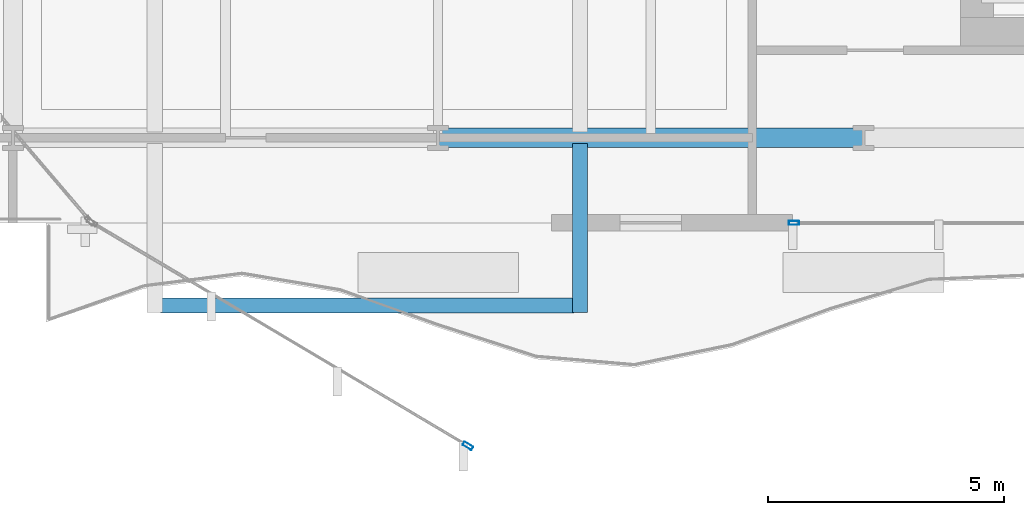
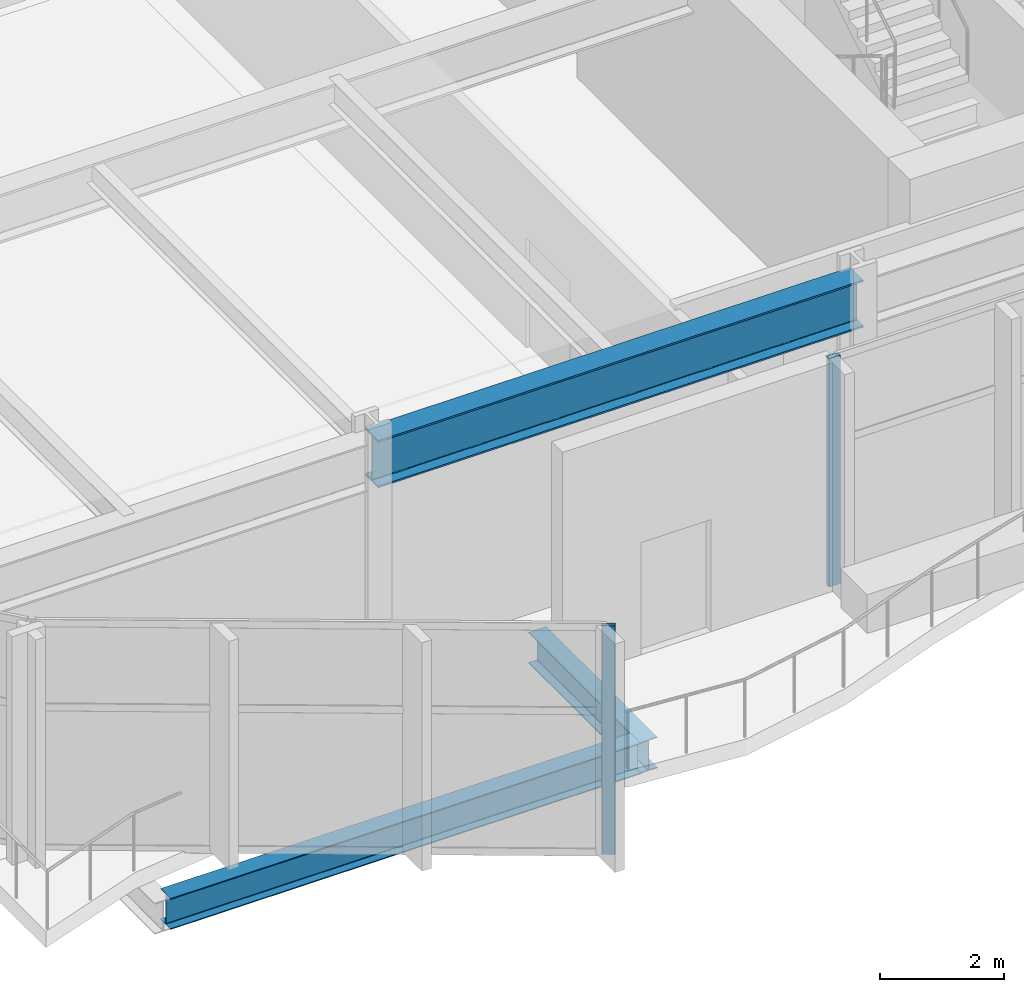
# One storey, part 3 of 29: 3 beams, 2 members, 2 elements without a shape of their own.
"""IFC4 building model written with IfcOpenShell, lengths in metres."""

from ifc_helpers import new_model, si_unit, direction, frame, origin, origin_2d, place, context, subcontext, project, spatial, hollow_rectangle, i_section, extrude, material, layer, layer_set, material_profile, profile_set, type_object, element, aggregate, save


model = new_model("IFC4")

# Units and contexts
model_context = context("Model", 3, precision=1e-05, world=origin(), true_north=direction((0.0, 1.0)))
body_context = subcontext(model_context, "Body", "Model", "MODEL_VIEW")
ifc_project = project(units=[si_unit("LENGTHUNIT", "METRE"), si_unit("AREAUNIT", "SQUARE_METRE"), si_unit("VOLUMEUNIT", "CUBIC_METRE"), si_unit("PLANEANGLEUNIT", "RADIAN"), si_unit("MASSUNIT", "GRAM", prefix="KILO")], contexts=[model_context])

# Site, building, storey
site_placement = place(None, origin())
site = spatial("IfcSite", under=ifc_project, at=site_placement, CompositionType="ELEMENT")
building_placement = place(site_placement, origin())
building = spatial("IfcBuilding", under=site, at=building_placement, Name="Solvaryn Broadcast Tower", CompositionType="ELEMENT")
storey_placement = place(building_placement, frame((0.0, 0.0, 21.199951171875)))
storey = spatial("IfcBuildingStorey", under=building, at=storey_placement, Name="L04", CompositionType="ELEMENT", Elevation=21.199951171875)

# Beams
ifc_material_1 = material(Name="Steel ASTM A992 Grade 50", Category="steel")
ifc_material_profile_1 = material_profile(ifc_material_1, i_section(OverallWidth=0.323974609375, OverallDepth=0.611083984375, WebThickness=0.0126953125, FlangeThickness=0.01904296875, FilletRadius=0.014892578125, at=origin_2d()))
ifc_profile_set_1 = profile_set([ifc_material_profile_1], Name="Steel ASTM A992 Grade 50")
beam_type_1 = type_object("IfcBeamType", Name="BM-B1-W24X104", PredefinedType="BEAM", material=ifc_profile_set_1)
beam_1_placement = place(storey_placement, frame((12.125, 5.449951171875, -0.62548828125), z_axis=(1.0, 0.0, 0.0), x_axis=(0.0, 1.0, 0.0)))
element("IfcBeam", 1, at=beam_1_placement, inside=storey, type_object=beam_type_1, Name="L04 Terrace Cross Tie Beam", PredefinedType="BEAM", context=body_context, shape_type="SweptSolid", body=[
    extrude(i_section(OverallWidth=0.323974609375, OverallDepth=0.611083984375, WebThickness=0.0126953125, FlangeThickness=0.01904296875, FilletRadius=0.014892578125, at=origin_2d()), origin(), (0.0, 0.0, 1.0), 8.75),
])
ifc_material_2 = material(Name="Steel ASTM A992 Grade 50", Category="steel")
ifc_material_profile_2 = material_profile(ifc_material_2, i_section(OverallWidth=0.323974609375, OverallDepth=0.611083984375, WebThickness=0.0126953125, FlangeThickness=0.01904296875, FilletRadius=0.014892578125, at=origin_2d()))
ifc_profile_set_2 = profile_set([ifc_material_profile_2], Name="Steel ASTM A992 Grade 50")
beam_type_2 = type_object("IfcBeamType", Name="BM-CANT-TER", PredefinedType="BEAM", material=ifc_profile_set_2)
beam_2_placement = place(storey_placement, frame((21.0, 8.875, -0.62548828125), z_axis=(0.0, -1.0, 0.0), x_axis=(1.0, 0.0, 0.0)))
element("IfcBeam", 2, at=beam_2_placement, inside=storey, type_object=beam_type_2, Name="L04 Terrace Cantilever Beam X21.0", PredefinedType="BEAM", context=body_context, shape_type="SweptSolid", body=[
    extrude(i_section(OverallWidth=0.323974609375, OverallDepth=0.611083984375, WebThickness=0.0126953125, FlangeThickness=0.01904296875, FilletRadius=0.014892578125, at=origin_2d()), origin(), (0.0, 0.0, 1.0), 3.574951171875),
])
ifc_material_3 = material(Name="Steel ASTM A992 Grade 50", Category="steel")
ifc_material_profile_3 = material_profile(ifc_material_3, i_section(OverallWidth=0.41796875, OverallDepth=0.927001953125, WebThickness=0.019287109375, FlangeThickness=0.031982421875, FilletRadius=0.02392578125, at=origin_2d()))
ifc_profile_set_3 = profile_set([ifc_material_profile_3], Name="Steel ASTM A992 Grade 50")
beam_type_3 = type_object("IfcBeamType", Name="BM-G2-W36X231", PredefinedType="BEAM", material=ifc_profile_set_3)
beam_3_placement = place(storey_placement, frame((18.0, 9.0, 4.0166015625), z_axis=(1.0, 0.0, 0.0), x_axis=(0.0, 1.0, 0.0)))
element("IfcBeam", 3, at=beam_3_placement, inside=storey, type_object=beam_type_3, Name="L04 Primary Beam X (18-27 @ Y=9)", PredefinedType="BEAM", context=body_context, shape_type="SweptSolid", body=[
    extrude(i_section(OverallWidth=0.41796875, OverallDepth=0.927001953125, WebThickness=0.019287109375, FlangeThickness=0.031982421875, FilletRadius=0.02392578125, at=origin_2d()), origin(), (0.0, 0.0, 1.0), 9.0),
])

# Curtain wall, member
ifc_material_4 = material(Name="Aluminium and Terracotta Unitised Curtain Wall", Category="masonry")
ifc_layer = layer(ifc_material_4, 0.219970703125)
ifc_layer_set = layer_set([ifc_layer], Name="CW-SYS1-PODIUM")
curtain_wall_type = type_object("IfcCurtainWallType", Name="CW-SYS1-PODIUM", PredefinedType="NOTDEFINED", material=ifc_layer_set)
curtain_wall_1_placement = place(storey_placement, origin())
curtain_wall_1 = element("IfcCurtainWall", 4, at=curtain_wall_1_placement, inside=storey, type_object=curtain_wall_type, Name="L04 Podium Curtain Wall S1", PredefinedType="NOTDEFINED")
ifc_material_5 = material(Name="Anodised Aluminium 6063-T6", Category="aluminium")
ifc_material_profile_4 = material_profile(ifc_material_5, hollow_rectangle(XDim=0.0849609375, YDim=0.219970703125, WallThickness=0.0048828125, InnerFilletRadius=0.0048828125, OuterFilletRadius=0.010009765625, at=origin_2d()))
ifc_profile_set_4 = profile_set([ifc_material_profile_4], Name="Anodised Aluminium 6063-T6")
member_type = type_object("IfcMemberType", Name="CW-MUL-220", PredefinedType="MULLION", material=ifc_profile_set_4)
member_1_placement = place(storey_placement, frame((25.530029296875, 7.199951171875, 0.0), z_axis=(0.0, 0.0, 1.0), x_axis=(0.0, -1.0, 0.0)))
member_1 = element("IfcMember", 5, at=member_1_placement, type_object=member_type, Name="CWS1 mullion 3", PredefinedType="MULLION", context=body_context, shape_type="SweptSolid", body=[
    extrude(hollow_rectangle(XDim=0.0849609375, YDim=0.219970703125, WallThickness=0.0048828125, InnerFilletRadius=0.0048828125, OuterFilletRadius=0.010009765625, at=origin_2d()), origin(), (0.0, 0.0, 1.0), 4.47998046875),
])
aggregate(curtain_wall_1, [member_1])

curtain_wall_2_placement = place(storey_placement, origin())
curtain_wall_2 = element("IfcCurtainWall", 6, at=curtain_wall_2_placement, inside=storey, type_object=curtain_wall_type, Name="L04 Podium Curtain Wall DC4", PredefinedType="NOTDEFINED")
member_2_placement = place(storey_placement, frame((18.628173828125, 2.481201171875, 0.0), z_axis=(0.0, 0.0, 1.0), x_axis=(0.510635558204, 0.859797259066, 0.0)))
member_2 = element("IfcMember", 7, at=member_2_placement, type_object=member_type, Name="CWS1 mullion 2", PredefinedType="MULLION", context=body_context, shape_type="SweptSolid", body=[
    extrude(hollow_rectangle(XDim=0.0849609375, YDim=0.219970703125, WallThickness=0.0048828125, InnerFilletRadius=0.0048828125, OuterFilletRadius=0.010009765625, at=origin_2d()), origin(), (0.0, 0.0, 1.0), 4.47998046875),
])
aggregate(curtain_wall_2, [member_2])

save(model, "model.ifc")
